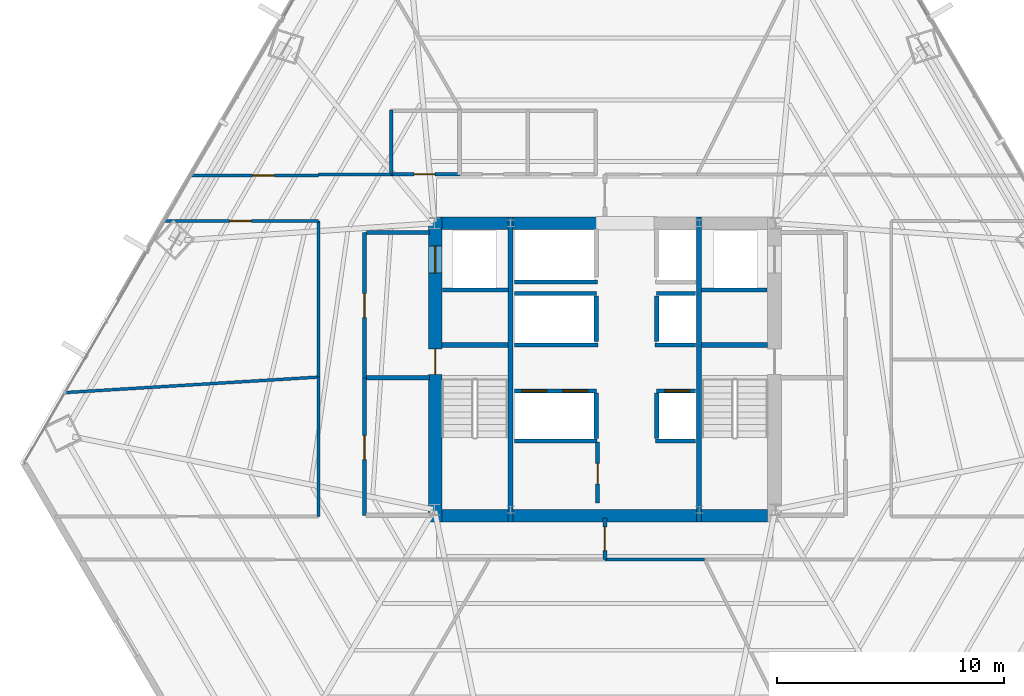
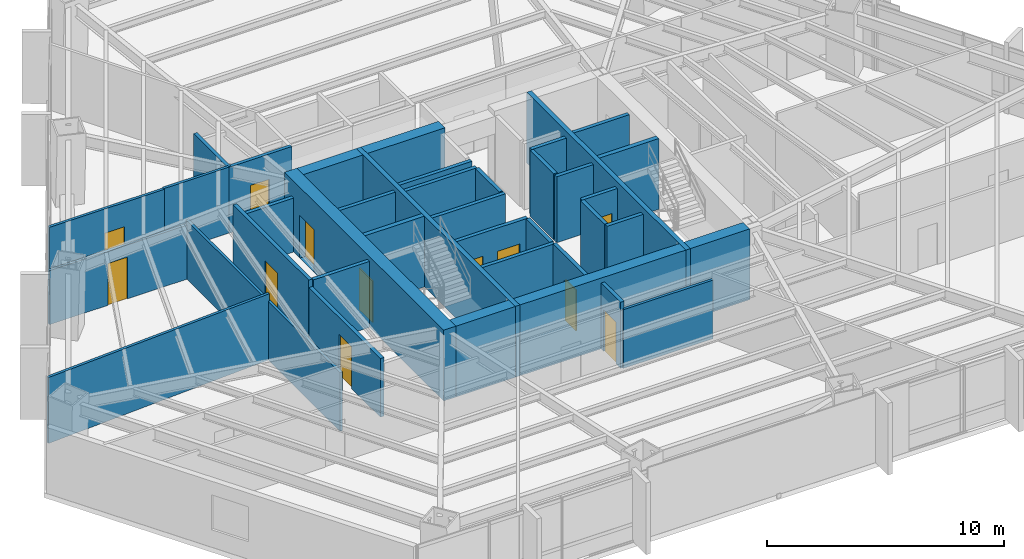
# One storey, part 28 of 33: 40 walls, 12 doors, 12 openings.
"""IFC4 building model written with IfcOpenShell, lengths in metres."""

from ifc_helpers import new_model, si_unit, direction, frame, frame_2d, origin, place, context, subcontext, project, spatial, rectangle, extrude, material, layer, layer_set, type_object, element, fill, save


model = new_model("IFC4")

# Units and contexts
model_context = context("Model", 3, precision=1e-05, world=origin(), true_north=direction((0.0, 1.0)))
body_context = subcontext(model_context, "Body", "Model", "MODEL_VIEW")
ifc_project = project(units=[si_unit("LENGTHUNIT", "METRE"), si_unit("AREAUNIT", "SQUARE_METRE"), si_unit("VOLUMEUNIT", "CUBIC_METRE"), si_unit("PLANEANGLEUNIT", "RADIAN"), si_unit("MASSUNIT", "GRAM", prefix="KILO")], contexts=[model_context])

# Site, building, storey
site_placement = place(None, origin())
site = spatial("IfcSite", under=ifc_project, at=site_placement, CompositionType="ELEMENT")
building_placement = place(site_placement, origin())
building = spatial("IfcBuilding", under=site, at=building_placement, Name="Caelisora Broadcast Tower", CompositionType="ELEMENT")
storey_placement = place(building_placement, frame((0.0, 0.0, 34.89990234375)))
storey = spatial("IfcBuildingStorey", under=building, at=storey_placement, Name="L08", CompositionType="ELEMENT", Elevation=34.89990234375)

# Wall, openings, doors
ifc_material_1 = material(Name="Concrete 65 MPa (AS 3600 S65)", Category="concrete")
ifc_layer_1 = layer(ifc_material_1, 0.60009765625, Name="Concrete 65 MPa (AS 3600 S65)")
ifc_layer_set_1 = layer_set([ifc_layer_1], Name="Concrete 65 MPa (AS 3600 S65)")
wall_type_1 = type_object("IfcWallType", Name="CW1", PredefinedType="SHEAR", material=ifc_layer_set_1)
wall_1_placement = place(storey_placement, frame((30.5400390625, 16.85009765625, 0.0), z_axis=(0.0, 0.0, 1.0), x_axis=(0.0, 1.0, 0.0)))
wall_1 = element("IfcWall", 1, at=wall_1_placement, inside=storey, type_object=wall_type_1, Name="L08 core shear wall CW1", PredefinedType="SHEAR", context=body_context, shape_type="SweptSolid", body=[
    extrude(rectangle(XDim=13.4248046875, YDim=0.60009765625, at=frame_2d((6.71240234375, 0.0))), origin(), (0.0, 0.0, 1.0), 3.650146484375),
])
opening_1_placement = place(wall_1_placement, frame((6.5, 0.0, 0.0)))
opening_1 = element("IfcOpeningElement", 2, at=opening_1_placement, cuts=wall_1, Name="Opening FD04", PredefinedType="OPENING", context=body_context, shape_type="SweptSolid", body=[
    extrude(rectangle(XDim=1.1201171875, YDim=2.14990234375, at=frame_2d((0.56005859375, 1.074951171875))), frame((0.0, 0.31201171875, 0.0), z_axis=(0.0, -1.0, 0.0), x_axis=(1.0, 0.0, 0.0)), (0.0, 0.0, 1.0), 0.6240234375),
])
opening_2_placement = place(wall_1_placement, frame((10.949951171875, 0.0, 0.0)))
opening_2 = element("IfcOpeningElement", 3, at=opening_2_placement, cuts=wall_1, Name="Opening LD04", PredefinedType="OPENING", context=body_context, shape_type="SweptSolid", body=[
    extrude(rectangle(XDim=1.199951171875, YDim=2.199951171875, at=frame_2d((0.60009765625, 1.10009765625))), frame((0.0, 0.31201171875, 0.0), z_axis=(0.0, -1.0, 0.0), x_axis=(1.0, 0.0, 0.0)), (0.0, 0.0, 1.0), 0.6240234375),
])
ifc_material_2 = material(Name="Pressurised Fire-Isolated Stair Door", Category="steel")
door_type_1 = type_object("IfcDoorType", Name="FD04", OperationType="NOTDEFINED", PredefinedType="DOOR", material=ifc_material_2)
door_1_placement = place(opening_1_placement, origin())
door_1 = element("IfcDoor", 4, at=door_1_placement, inside=storey, type_object=door_type_1, Name="L08 door FD04 (L08-DR-ST1)", OperationType="SINGLE_SWING_LEFT", OverallHeight=2.14990234375, OverallWidth=1.1201171875, PredefinedType="DOOR", context=body_context, shape_type="SweptSolid", body=[
    extrude(rectangle(XDim=1.1201171875, YDim=2.14990234375, at=frame_2d((0.56005859375, 1.074951171875))), frame((0.0, 0.02490234375, 0.0), z_axis=(0.0, -1.0, 0.0), x_axis=(1.0, 0.0, 0.0)), (0.0, 0.0, 1.0), 0.050048828125),
])
fill(opening_1, door_1)
ifc_material_3 = material(Name="Emergency Firefighting Lift Sliding Landing Door", Category="steel")
door_type_2 = type_object("IfcDoorType", Name="LD04", OperationType="NOTDEFINED", PredefinedType="DOOR", material=ifc_material_3)
door_2_placement = place(opening_2_placement, origin())
door_2 = element("IfcDoor", 5, at=door_2_placement, inside=storey, type_object=door_type_2, Name="L08 door LD04 (L08-LD-FFL1)", OperationType="SLIDING_TO_LEFT", OverallHeight=2.199951171875, OverallWidth=1.199951171875, PredefinedType="DOOR", context=body_context, shape_type="SweptSolid", body=[
    extrude(rectangle(XDim=1.199951171875, YDim=2.199951171875, at=frame_2d((0.60009765625, 1.10009765625))), frame((0.0, 0.02490234375, 0.0), z_axis=(0.0, -1.0, 0.0), x_axis=(1.0, 0.0, 0.0)), (0.0, 0.0, 1.0), 0.050048828125),
])
fill(opening_2, door_2)

# Walls
ifc_layer_2 = layer(ifc_material_1, 0.550048828125, Name="Concrete 65 MPa (AS 3600 S65)")
ifc_layer_set_2 = layer_set([ifc_layer_2], Name="Concrete 65 MPa (AS 3600 S65)")
wall_type_2 = type_object("IfcWallType", Name="CW4", PredefinedType="SHEAR", material=ifc_layer_set_2)
wall_2_placement = place(storey_placement, frame((30.840087890625, 17.125, 0.0), z_axis=(0.0, 0.0, 1.0), x_axis=(1.0, 0.0, 0.0)))
element("IfcWall", 6, at=wall_2_placement, inside=storey, type_object=wall_type_2, Name="L08 core shear wall CW4", PredefinedType="SHEAR", context=body_context, shape_type="SweptSolid", body=[
    extrude(rectangle(XDim=2.89990234375, YDim=0.550048828125, at=frame_2d((1.449951171875, 0.0))), origin(), (0.0, 0.0, 1.0), 3.650146484375),
])
wall_3_placement = place(storey_placement, frame((33.9599609375, 17.125, 0.0), z_axis=(0.0, 0.0, 1.0), x_axis=(1.0, 0.0, 0.0)))
element("IfcWall", 7, at=wall_3_placement, inside=storey, type_object=wall_type_2, Name="L08 core shear wall CW4", PredefinedType="SHEAR", context=body_context, shape_type="SweptSolid", body=[
    extrude(rectangle(XDim=8.080078125, YDim=0.550048828125, at=frame_2d((4.0400390625, 0.0))), origin(), (0.0, 0.0, 1.0), 3.650146484375),
])
for number, where, z_axis, x_axis, name in (
    (8, (42.260009765625, 17.125, 0.0), (0.0, 0.0, 1.0), (1.0, 0.0, 0.0), "L08 core shear wall CW4"),
    (9, (30.840087890625, 30.0, 0.0), (0.0, 0.0, 1.0), (1.0, 0.0, 0.0), "L08 core shear wall CW4"),
):
    element("IfcWall", number, at=place(storey_placement, frame(where, z_axis=z_axis, x_axis=x_axis)), inside=storey, type_object=wall_type_2, Name=name, PredefinedType="SHEAR", context=body_context, shape_type="SweptSolid", body=[
        extrude(rectangle(XDim=2.89990234375, YDim=0.550048828125, at=frame_2d((1.449951171875, 0.0))), origin(), (0.0, 0.0, 1.0), 3.650146484375),
    ])
wall_4_placement = place(storey_placement, frame((33.9599609375, 30.0, 0.0), z_axis=(0.0, 0.0, 1.0), x_axis=(1.0, 0.0, 0.0)))
element("IfcWall", 10, at=wall_4_placement, inside=storey, type_object=wall_type_2, Name="L08 core shear wall CW4", PredefinedType="SHEAR", context=body_context, shape_type="SweptSolid", body=[
    extrude(rectangle(XDim=3.780029296875, YDim=0.550048828125, at=frame_2d((1.89013671875, 0.0))), origin(), (0.0, 0.0, 1.0), 3.650146484375),
])
ifc_material_4 = material(Name="Concrete 50 MPa (AS 3600 S50)", Category="concrete")
ifc_layer_3 = layer(ifc_material_4, 0.219970703125, Name="Concrete 50 MPa (AS 3600 S50)")
ifc_layer_set_3 = layer_set([ifc_layer_3], Name="Concrete 50 MPa (AS 3600 S50)")
wall_type_3 = type_object("IfcWallType", Name="CW7", PredefinedType="SHEAR", material=ifc_layer_set_3)
for number, where, z_axis, x_axis, name in (
    (11, (33.85009765625, 16.85009765625, 0.0), (0.0, 0.0, 1.0), (0.0, 1.0, 0.0), "L08 core shear wall CW7"),
    (12, (42.14990234375, 16.85009765625, 0.0), (0.0, 0.0, 1.0), (0.0, 1.0, 0.0), "L08 core shear wall CW7"),
):
    element("IfcWall", number, at=place(storey_placement, frame(where, z_axis=z_axis, x_axis=x_axis)), inside=storey, type_object=wall_type_3, Name=name, PredefinedType="SHEAR", context=body_context, shape_type="SweptSolid", body=[
        extrude(rectangle(XDim=13.4248046875, YDim=0.219970703125, at=frame_2d((6.71240234375, 0.0))), origin(), (0.0, 0.0, 1.0), 3.650146484375),
    ])
for number, where, z_axis, x_axis, name in (
    (13, (30.840087890625, 24.639892578125, 0.0), (0.0, 0.0, 1.0), (1.0, 0.0, 0.0), "L08 core shear wall CW7"),
    (14, (42.260009765625, 24.639892578125, 0.0), (0.0, 0.0, 1.0), (1.0, 0.0, 0.0), "L08 core shear wall CW7"),
):
    element("IfcWall", number, at=place(storey_placement, frame(where, z_axis=z_axis, x_axis=x_axis)), inside=storey, type_object=wall_type_3, Name=name, PredefinedType="SHEAR", context=body_context, shape_type="SweptSolid", body=[
        extrude(rectangle(XDim=2.89990234375, YDim=0.219970703125, at=frame_2d((1.449951171875, 0.0))), origin(), (0.0, 0.0, 1.0), 3.650146484375),
    ])

# Wall, openings, doors
ifc_material_5 = material(Name="Fire-Rated Gypsum Shaft and Compartment Wall", Category="gypsum")
ifc_layer_4 = layer(ifc_material_5, 0.179931640625, Name="Fire-Rated Gypsum Shaft and Compartment Wall")
ifc_layer_set_4 = layer_set([ifc_layer_4], Name="Fire-Rated Gypsum Shaft and Compartment Wall")
wall_type_4 = type_object("IfcWallType", Name="PW2", PredefinedType="PARTITIONING", material=ifc_layer_set_4)
wall_5_placement = place(storey_placement, frame((34.02001953125, 22.6201171875, 0.0), z_axis=(0.0, 0.0, 1.0), x_axis=(1.0, 0.0, 0.0)))
wall_5 = element("IfcWall", 15, at=wall_5_placement, inside=storey, type_object=wall_type_4, Name="L08 fire compartment wall PW2", PredefinedType="PARTITIONING", context=body_context, shape_type="SweptSolid", body=[
    extrude(rectangle(XDim=3.60009765625, YDim=0.179931640625, at=frame_2d((1.800048828125, 0.0))), origin(), (0.0, 0.0, 1.0), 3.400146484375),
])
opening_3_placement = place(wall_5_placement, frame((0.320068359375, 0.0, 0.0)))
opening_3 = element("IfcOpeningElement", 16, at=opening_3_placement, cuts=wall_5, Name="Opening LD01", PredefinedType="OPENING", context=body_context, shape_type="SweptSolid", body=[
    extrude(rectangle(XDim=1.10009765625, YDim=2.199951171875, at=frame_2d((0.550048828125, 1.10009765625))), frame((0.0, 0.10205078125, 0.0), z_axis=(0.0, -1.0, 0.0), x_axis=(1.0, 0.0, 0.0)), (0.0, 0.0, 1.0), 0.203857421875),
])
opening_4_placement = place(wall_5_placement, frame((2.1201171875, 0.0, 0.0)))
opening_4 = element("IfcOpeningElement", 17, at=opening_4_placement, cuts=wall_5, Name="Opening LD01", PredefinedType="OPENING", context=body_context, shape_type="SweptSolid", body=[
    extrude(rectangle(XDim=1.10009765625, YDim=2.199951171875, at=frame_2d((0.550048828125, 1.10009765625))), frame((0.0, 0.10205078125, 0.0), z_axis=(0.0, -1.0, 0.0), x_axis=(1.0, 0.0, 0.0)), (0.0, 0.0, 1.0), 0.203857421875),
])
ifc_material_6 = material(Name="Stainless Steel Centre-Parting Lift Landing Door", Category="steel")
door_type_3 = type_object("IfcDoorType", Name="LD01", OperationType="NOTDEFINED", PredefinedType="DOOR", material=ifc_material_6)
door_3_placement = place(opening_3_placement, origin())
door_3 = element("IfcDoor", 18, at=door_3_placement, inside=storey, type_object=door_type_3, Name="L08 door LD01 (L08-LD-PLL1)", OperationType="SLIDING_TO_LEFT", OverallHeight=2.199951171875, OverallWidth=1.10009765625, PredefinedType="DOOR", context=body_context, shape_type="SweptSolid", body=[
    extrude(rectangle(XDim=1.10009765625, YDim=2.199951171875, at=frame_2d((0.550048828125, 1.10009765625))), frame((0.0, 0.02490234375, 0.0), z_axis=(0.0, -1.0, 0.0), x_axis=(1.0, 0.0, 0.0)), (0.0, 0.0, 1.0), 0.050048828125),
])
fill(opening_3, door_3)
door_4_placement = place(opening_4_placement, origin())
door_4 = element("IfcDoor", 19, at=door_4_placement, inside=storey, type_object=door_type_3, Name="L08 door LD01 (L08-LD-PLL2)", OperationType="SLIDING_TO_RIGHT", OverallHeight=2.199951171875, OverallWidth=1.10009765625, PredefinedType="DOOR", context=body_context, shape_type="SweptSolid", body=[
    extrude(rectangle(XDim=1.10009765625, YDim=2.199951171875, at=frame_2d((0.550048828125, 1.10009765625))), frame((0.0, 0.02490234375, 0.0), z_axis=(0.0, -1.0, 0.0), x_axis=(1.0, 0.0, 0.0)), (0.0, 0.0, 1.0), 0.050048828125),
])
fill(opening_4, door_4)

# Wall, opening, door
wall_6_placement = place(storey_placement, frame((40.280029296875, 22.6201171875, 0.0), z_axis=(0.0, 0.0, 1.0), x_axis=(1.0, 0.0, 0.0)))
wall_6 = element("IfcWall", 20, at=wall_6_placement, inside=storey, type_object=wall_type_4, Name="L08 fire compartment wall PW2", PredefinedType="PARTITIONING", context=body_context, shape_type="SweptSolid", body=[
    extrude(rectangle(XDim=1.699951171875, YDim=0.179931640625, at=frame_2d((0.85009765625, 0.0))), origin(), (0.0, 0.0, 1.0), 3.400146484375),
])
opening_5_placement = place(wall_6_placement, frame((0.35009765625, 0.0, 0.0)))
opening_5 = element("IfcOpeningElement", 21, at=opening_5_placement, cuts=wall_6, Name="Opening LD01", PredefinedType="OPENING", context=body_context, shape_type="SweptSolid", body=[
    extrude(rectangle(XDim=1.10009765625, YDim=2.199951171875, at=frame_2d((0.550048828125, 1.10009765625))), frame((0.0, 0.10205078125, 0.0), z_axis=(0.0, -1.0, 0.0), x_axis=(1.0, 0.0, 0.0)), (0.0, 0.0, 1.0), 0.203857421875),
])
door_5_placement = place(opening_5_placement, origin())
door_5 = element("IfcDoor", 22, at=door_5_placement, inside=storey, type_object=door_type_3, Name="L08 door LD01 (L08-LD-PLL3)", OperationType="SLIDING_TO_LEFT", OverallHeight=2.199951171875, OverallWidth=1.10009765625, PredefinedType="DOOR", context=body_context, shape_type="SweptSolid", body=[
    extrude(rectangle(XDim=1.10009765625, YDim=2.199951171875, at=frame_2d((0.550048828125, 1.10009765625))), frame((0.0, 0.02490234375, 0.0), z_axis=(0.0, -1.0, 0.0), x_axis=(1.0, 0.0, 0.0)), (0.0, 0.0, 1.0), 0.050048828125),
])
fill(opening_5, door_5)

# Walls
for number, where, z_axis, x_axis, name in (
    (23, (37.6201171875, 20.52001953125, 0.0), (0.0, 0.0, 1.0), (0.0, 1.0, 0.0), "L08 fire compartment wall PW2"),
    (24, (40.280029296875, 20.52001953125, 0.0), (0.0, 0.0, 1.0), (0.0, 1.0, 0.0), "L08 fire compartment wall PW2"),
):
    element("IfcWall", number, at=place(storey_placement, frame(where, z_axis=z_axis, x_axis=x_axis)), inside=storey, type_object=wall_type_4, Name=name, PredefinedType="PARTITIONING", context=body_context, shape_type="SweptSolid", body=[
        extrude(rectangle(XDim=2.0, YDim=0.179931640625, at=frame_2d((1.0, 0.0))), origin(), (0.0, 0.0, 1.0), 3.400146484375),
    ])
wall_7_placement = place(storey_placement, frame((34.02001953125, 26.89990234375, 0.0), z_axis=(0.0, 0.0, 1.0), x_axis=(1.0, 0.0, 0.0)))
element("IfcWall", 25, at=wall_7_placement, inside=storey, type_object=wall_type_4, Name="L08 fire compartment wall PW2", PredefinedType="PARTITIONING", context=body_context, shape_type="SweptSolid", body=[
    extrude(rectangle(XDim=3.60009765625, YDim=0.179931640625, at=frame_2d((1.800048828125, 0.0))), origin(), (0.0, 0.0, 1.0), 3.400146484375),
])
wall_8_placement = place(storey_placement, frame((40.280029296875, 26.89990234375, 0.0), z_axis=(0.0, 0.0, 1.0), x_axis=(1.0, 0.0, 0.0)))
element("IfcWall", 26, at=wall_8_placement, inside=storey, type_object=wall_type_4, Name="L08 fire compartment wall PW2", PredefinedType="PARTITIONING", context=body_context, shape_type="SweptSolid", body=[
    extrude(rectangle(XDim=1.699951171875, YDim=0.179931640625, at=frame_2d((0.85009765625, 0.0))), origin(), (0.0, 0.0, 1.0), 3.400146484375),
])
for number, where, z_axis, x_axis, name in (
    (27, (37.6201171875, 24.800048828125, 0.0), (0.0, 0.0, 1.0), (0.0, 1.0, 0.0), "L08 fire compartment wall PW2"),
    (28, (40.280029296875, 24.800048828125, 0.0), (0.0, 0.0, 1.0), (0.0, 1.0, 0.0), "L08 fire compartment wall PW2"),
):
    element("IfcWall", number, at=place(storey_placement, frame(where, z_axis=z_axis, x_axis=x_axis)), inside=storey, type_object=wall_type_4, Name=name, PredefinedType="PARTITIONING", context=body_context, shape_type="SweptSolid", body=[
        extrude(rectangle(XDim=2.0, YDim=0.179931640625, at=frame_2d((1.0, 0.0))), origin(), (0.0, 0.0, 1.0), 3.400146484375),
    ])
wall_9_placement = place(storey_placement, frame((34.02001953125, 24.639892578125, 0.0), z_axis=(0.0, 0.0, 1.0), x_axis=(1.0, 0.0, 0.0)))
element("IfcWall", 29, at=wall_9_placement, inside=storey, type_object=wall_type_4, Name="L08 fire compartment wall PW2", PredefinedType="PARTITIONING", context=body_context, shape_type="SweptSolid", body=[
    extrude(rectangle(XDim=3.679931640625, YDim=0.179931640625, at=frame_2d((1.83984375, 0.0))), origin(), (0.0, 0.0, 1.0), 3.400146484375),
])
wall_10_placement = place(storey_placement, frame((40.199951171875, 24.639892578125, 0.0), z_axis=(0.0, 0.0, 1.0), x_axis=(1.0, 0.0, 0.0)))
element("IfcWall", 30, at=wall_10_placement, inside=storey, type_object=wall_type_4, Name="L08 fire compartment wall PW2", PredefinedType="PARTITIONING", context=body_context, shape_type="SweptSolid", body=[
    extrude(rectangle(XDim=1.780029296875, YDim=0.179931640625, at=frame_2d((0.89013671875, 0.0))), origin(), (0.0, 0.0, 1.0), 3.400146484375),
])
wall_11_placement = place(storey_placement, frame((34.02001953125, 27.419921875, 0.0), z_axis=(0.0, 0.0, 1.0), x_axis=(1.0, 0.0, 0.0)))
element("IfcWall", 31, at=wall_11_placement, inside=storey, type_object=wall_type_4, Name="L08 fire compartment wall PW2", PredefinedType="PARTITIONING", context=body_context, shape_type="SweptSolid", body=[
    extrude(rectangle(XDim=3.659912109375, YDim=0.179931640625, at=frame_2d((1.830078125, 0.0))), origin(), (0.0, 0.0, 1.0), 3.400146484375),
])

# Wall, opening, door
wall_12_placement = place(storey_placement, frame((27.419921875, 23.199951171875, 0.0), z_axis=(0.0, 0.0, 1.0), x_axis=(0.0, 1.0, 0.0)))
wall_12 = element("IfcWall", 32, at=wall_12_placement, inside=storey, type_object=wall_type_4, Name="L08 fire compartment wall PW2", PredefinedType="PARTITIONING", context=body_context, shape_type="SweptSolid", body=[
    extrude(rectangle(XDim=6.400146484375, YDim=0.179931640625, at=frame_2d((3.2001953125, 0.0))), origin(), (0.0, 0.0, 1.0), 3.400146484375),
])
opening_6_placement = place(wall_12_placement, frame((2.64990234375, 0.0, 0.0)))
opening_6 = element("IfcOpeningElement", 33, at=opening_6_placement, cuts=wall_12, Name="Opening FD02", PredefinedType="OPENING", context=body_context, shape_type="SweptSolid", body=[
    extrude(rectangle(XDim=1.050048828125, YDim=2.14990234375, at=frame_2d((0.52490234375, 1.074951171875))), frame((0.0, 0.10205078125, 0.0), z_axis=(0.0, -1.0, 0.0), x_axis=(1.0, 0.0, 0.0)), (0.0, 0.0, 1.0), 0.203857421875),
])
ifc_material_7 = material(Name="Single-Leaf Steel Fire Lobby Door", Category="steel")
door_type_4 = type_object("IfcDoorType", Name="FD02", OperationType="NOTDEFINED", PredefinedType="DOOR", material=ifc_material_7)
door_6_placement = place(opening_6_placement, origin())
door_6 = element("IfcDoor", 34, at=door_6_placement, inside=storey, type_object=door_type_4, Name="L08 door FD02 (L08-DR-P01D1)", OperationType="SINGLE_SWING_LEFT", OverallHeight=2.14990234375, OverallWidth=1.050048828125, PredefinedType="DOOR", context=body_context, shape_type="SweptSolid", body=[
    extrude(rectangle(XDim=1.050048828125, YDim=2.14990234375, at=frame_2d((0.52490234375, 1.074951171875))), frame((0.0, 0.02490234375, 0.0), z_axis=(0.0, -1.0, 0.0), x_axis=(1.0, 0.0, 0.0)), (0.0, 0.0, 1.0), 0.050048828125),
])
fill(opening_6, door_6)

# Walls
wall_13_placement = place(storey_placement, frame((27.52001953125, 23.199951171875, 0.0), z_axis=(0.0, 0.0, 1.0), x_axis=(1.0, 0.0, 0.0)))
element("IfcWall", 35, at=wall_13_placement, inside=storey, type_object=wall_type_4, Name="L08 fire compartment wall PW2", PredefinedType="PARTITIONING", context=body_context, shape_type="SweptSolid", body=[
    extrude(rectangle(XDim=2.760009765625, YDim=0.179931640625, at=frame_2d((1.3798828125, 0.0))), origin(), (0.0, 0.0, 1.0), 3.400146484375),
])
wall_14_placement = place(storey_placement, frame((27.52001953125, 29.60009765625, 0.0), z_axis=(0.0, 0.0, 1.0), x_axis=(1.0, 0.0, 0.0)))
element("IfcWall", 36, at=wall_14_placement, inside=storey, type_object=wall_type_4, Name="L08 fire compartment wall PW2", PredefinedType="PARTITIONING", context=body_context, shape_type="SweptSolid", body=[
    extrude(rectangle(XDim=2.760009765625, YDim=0.179931640625, at=frame_2d((1.3798828125, 0.0))), origin(), (0.0, 0.0, 1.0), 2.782958984375),
])
for number, where, z_axis, x_axis, name in (
    (37, (30.860107421875, 27.070068359375, 0.0), (0.0, 0.0, 1.0), (1.0, 0.0, 0.0), "L08 fire compartment wall PW2"),
    (38, (42.239990234375, 27.070068359375, 0.0), (0.0, 0.0, 1.0), (1.0, 0.0, 0.0), "L08 fire compartment wall PW2"),
):
    element("IfcWall", number, at=place(storey_placement, frame(where, z_axis=z_axis, x_axis=x_axis)), inside=storey, type_object=wall_type_4, Name=name, PredefinedType="PARTITIONING", context=body_context, shape_type="SweptSolid", body=[
        extrude(rectangle(XDim=2.89990234375, YDim=0.179931640625, at=frame_2d((1.449951171875, 0.0))), origin(), (0.0, 0.0, 1.0), 3.400146484375),
    ])
wall_15_placement = place(storey_placement, frame((34.02001953125, 20.419921875, 0.0), z_axis=(0.0, 0.0, 1.0), x_axis=(1.0, 0.0, 0.0)))
element("IfcWall", 39, at=wall_15_placement, inside=storey, type_object=wall_type_4, Name="L08 fire compartment wall PW2", PredefinedType="PARTITIONING", context=body_context, shape_type="SweptSolid", body=[
    extrude(rectangle(XDim=3.639892578125, YDim=0.179931640625, at=frame_2d((1.81982421875, 0.0))), origin(), (0.0, 0.0, 1.0), 3.400146484375),
])
wall_16_placement = place(storey_placement, frame((40.219970703125, 20.419921875, 0.0), z_axis=(0.0, 0.0, 1.0), x_axis=(1.0, 0.0, 0.0)))
element("IfcWall", 40, at=wall_16_placement, inside=storey, type_object=wall_type_4, Name="L08 fire compartment wall PW2", PredefinedType="PARTITIONING", context=body_context, shape_type="SweptSolid", body=[
    extrude(rectangle(XDim=1.760009765625, YDim=0.179931640625, at=frame_2d((0.8798828125, 0.0))), origin(), (0.0, 0.0, 1.0), 3.400146484375),
])

# Wall, opening, door
wall_17_placement = place(storey_placement, frame((37.679931640625, 17.679931640625, 0.0), z_axis=(0.0, 0.0, 1.0), x_axis=(0.0, 1.0, 0.0)))
wall_17 = element("IfcWall", 41, at=wall_17_placement, inside=storey, type_object=wall_type_4, Name="L08 fire compartment wall PW2", PredefinedType="PARTITIONING", context=body_context, shape_type="SweptSolid", body=[
    extrude(rectangle(XDim=2.699951171875, YDim=0.179931640625, at=frame_2d((1.35009765625, 0.0))), origin(), (0.0, 0.0, 1.0), 3.400146484375),
])
opening_7_placement = place(wall_17_placement, frame((0.85009765625, 0.0, 0.0)))
opening_7 = element("IfcOpeningElement", 42, at=opening_7_placement, cuts=wall_17, Name="Opening FD03", PredefinedType="OPENING", context=body_context, shape_type="SweptSolid", body=[
    extrude(rectangle(XDim=0.89990234375, YDim=2.10009765625, at=frame_2d((0.449951171875, 1.050048828125))), frame((0.0, 0.10205078125, 0.0), z_axis=(0.0, -1.0, 0.0), x_axis=(1.0, 0.0, 0.0)), (0.0, 0.0, 1.0), 0.203857421875),
])
ifc_material_8 = material(Name="Single-Leaf Steel Riser Fire Access Door", Category="steel")
door_type_5 = type_object("IfcDoorType", Name="FD03", OperationType="NOTDEFINED", PredefinedType="DOOR", material=ifc_material_8)
door_7_placement = place(opening_7_placement, origin())
door_7 = element("IfcDoor", 43, at=door_7_placement, inside=storey, type_object=door_type_5, Name="L08 door FD03 (L08-DR-P11D1)", OperationType="SINGLE_SWING_LEFT", OverallHeight=2.10009765625, OverallWidth=0.89990234375, PredefinedType="DOOR", context=body_context, shape_type="SweptSolid", body=[
    extrude(rectangle(XDim=0.89990234375, YDim=2.10009765625, at=frame_2d((0.449951171875, 1.050048828125))), frame((0.0, 0.02490234375, 0.0), z_axis=(0.0, -1.0, 0.0), x_axis=(1.0, 0.0, 0.0)), (0.0, 0.0, 1.0), 0.050048828125),
])
fill(opening_7, door_7)

wall_18_placement = place(storey_placement, frame((27.419921875, 17.14990234375, 0.0), z_axis=(0.0, 0.0, 1.0), x_axis=(0.0, 1.0, 0.0)))
wall_18 = element("IfcWall", 44, at=wall_18_placement, inside=storey, type_object=wall_type_4, Name="L08 fire compartment wall PW2", PredefinedType="PARTITIONING", context=body_context, shape_type="SweptSolid", body=[
    extrude(rectangle(XDim=6.030029296875, YDim=0.179931640625, at=frame_2d((3.01513671875, 0.0))), origin(), (0.0, 0.0, 1.0), 3.026611328125),
])
opening_8_placement = place(wall_18_placement, frame((2.449951171875, 0.0, 0.0)))
opening_8 = element("IfcOpeningElement", 45, at=opening_8_placement, cuts=wall_18, Name="Opening FD02", PredefinedType="OPENING", context=body_context, shape_type="SweptSolid", body=[
    extrude(rectangle(XDim=1.050048828125, YDim=2.14990234375, at=frame_2d((0.52490234375, 1.074951171875))), frame((0.0, 0.10205078125, 0.0), z_axis=(0.0, -1.0, 0.0), x_axis=(1.0, 0.0, 0.0)), (0.0, 0.0, 1.0), 0.203857421875),
])
door_8_placement = place(opening_8_placement, origin())
door_8 = element("IfcDoor", 46, at=door_8_placement, inside=storey, type_object=door_type_4, Name="L08 door FD02 (L08-DR-P12D1)", OperationType="SINGLE_SWING_RIGHT", OverallHeight=2.14990234375, OverallWidth=1.050048828125, PredefinedType="DOOR", context=body_context, shape_type="SweptSolid", body=[
    extrude(rectangle(XDim=1.050048828125, YDim=2.14990234375, at=frame_2d((0.52490234375, 1.074951171875))), frame((0.0, 0.02490234375, 0.0), z_axis=(0.0, -1.0, 0.0), x_axis=(1.0, 0.0, 0.0)), (0.0, 0.0, 1.0), 0.050048828125),
])
fill(opening_8, door_8)

wall_19_placement = place(storey_placement, frame((38.0, 15.205078125, 0.0), z_axis=(0.0, 0.0, 1.0), x_axis=(0.0, 1.0, 0.0)))
wall_19 = element("IfcWall", 47, at=wall_19_placement, inside=storey, type_object=wall_type_4, Name="L08 fire compartment wall PW2", PredefinedType="PARTITIONING", context=body_context, shape_type="SweptSolid", body=[
    extrude(rectangle(XDim=1.81982421875, YDim=0.179931640625, at=frame_2d((0.909912109375, 0.0))), origin(), (0.0, 0.0, 1.0), 3.400146484375),
])
opening_9_placement = place(wall_19_placement, frame((0.385009765625, 0.0, 0.0)))
opening_9 = element("IfcOpeningElement", 48, at=opening_9_placement, cuts=wall_19, Name="Opening FD02", PredefinedType="OPENING", context=body_context, shape_type="SweptSolid", body=[
    extrude(rectangle(XDim=1.050048828125, YDim=2.14990234375, at=frame_2d((0.52490234375, 1.074951171875))), frame((0.0, 0.10205078125, 0.0), z_axis=(0.0, -1.0, 0.0), x_axis=(1.0, 0.0, 0.0)), (0.0, 0.0, 1.0), 0.203857421875),
])
door_9_placement = place(opening_9_placement, origin())
door_9 = element("IfcDoor", 49, at=door_9_placement, inside=storey, type_object=door_type_4, Name="L08 door FD02 (L08-DR-P49D1)", OperationType="SINGLE_SWING_LEFT", OverallHeight=2.14990234375, OverallWidth=1.050048828125, PredefinedType="DOOR", context=body_context, shape_type="SweptSolid", body=[
    extrude(rectangle(XDim=1.050048828125, YDim=2.14990234375, at=frame_2d((0.52490234375, 1.074951171875))), frame((0.0, 0.02490234375, 0.0), z_axis=(0.0, -1.0, 0.0), x_axis=(1.0, 0.0, 0.0)), (0.0, 0.0, 1.0), 0.050048828125),
])
fill(opening_9, door_9)

# Walls
ifc_material_9 = material(Name="Acoustic Steel-Stud Plasterboard Partition", Category="gypsum")
ifc_layer_5 = layer(ifc_material_9, 0.1298828125, Name="Acoustic Steel-Stud Plasterboard Partition")
ifc_layer_set_5 = layer_set([ifc_layer_5], Name="Acoustic Steel-Stud Plasterboard Partition")
wall_type_5 = type_object("IfcWallType", Name="PW3", PredefinedType="PARTITIONING", material=ifc_layer_set_5)
wall_20_placement = place(storey_placement, frame((14.236083984375, 22.547119140625, 0.0), z_axis=(0.0, 0.0, 1.0), x_axis=(0.998132881606, 0.061079871132, 0.0)))
element("IfcWall", 50, at=wall_20_placement, inside=storey, type_object=wall_type_5, Name="L08 internal partition PW3", PredefinedType="PARTITIONING", context=body_context, shape_type="SweptSolid", body=[
    extrude(rectangle(XDim=11.179931640625, YDim=0.1298828125, at=frame_2d((5.58984375, 0.0))), origin(), (0.0, 0.0, 1.0), 3.400146484375),
])
wall_21_placement = place(storey_placement, frame((25.39990234375, 23.235107421875, 0.0), z_axis=(0.0, 0.0, 1.0), x_axis=(0.0, 1.0, 0.0)))
element("IfcWall", 51, at=wall_21_placement, inside=storey, type_object=wall_type_5, Name="L08 internal partition PW3", PredefinedType="PARTITIONING", context=body_context, shape_type="SweptSolid", body=[
    extrude(rectangle(XDim=6.85986328125, YDim=0.1298828125, at=frame_2d((3.429931640625, 0.0))), origin(), (0.0, 0.0, 1.0), 3.026611328125),
])

# Wall, opening, door
wall_22_placement = place(storey_placement, frame((25.39501953125, 30.10009765625, 0.0), z_axis=(0.0, 0.0, 1.0), x_axis=(-1.0, 0.0, 0.0)))
wall_22 = element("IfcWall", 52, at=wall_22_placement, inside=storey, type_object=wall_type_5, Name="L08 internal partition PW3", PredefinedType="PARTITIONING", context=body_context, shape_type="SweptSolid", body=[
    extrude(rectangle(XDim=6.759765625, YDim=0.1298828125, at=frame_2d((3.3798828125, 0.0))), origin(), (0.0, 0.0, 1.0), 2.782958984375),
])
opening_10_placement = place(wall_22_placement, frame((2.951904296875, 0.0, 0.0)))
opening_10 = element("IfcOpeningElement", 53, at=opening_10_placement, cuts=wall_22, Name="Opening D01", PredefinedType="OPENING", context=body_context, shape_type="SweptSolid", body=[
    extrude(rectangle(XDim=0.9599609375, YDim=2.14990234375, at=frame_2d((0.47998046875, 1.074951171875))), frame((0.0, 0.076904296875, 0.0), z_axis=(0.0, -1.0, 0.0), x_axis=(1.0, 0.0, 0.0)), (0.0, 0.0, 1.0), 0.15380859375),
])
ifc_material_10 = material(Name="Solid-Core Timber Acoustic Office Door", Category="wood")
door_type_6 = type_object("IfcDoorType", Name="D01", OperationType="NOTDEFINED", PredefinedType="DOOR", material=ifc_material_10)
door_10_placement = place(opening_10_placement, origin())
door_10 = element("IfcDoor", 54, at=door_10_placement, inside=storey, type_object=door_type_6, Name="L08 door D01 (L08-DR-P40D1)", OperationType="SINGLE_SWING_LEFT", OverallHeight=2.14990234375, OverallWidth=0.9599609375, PredefinedType="DOOR", context=body_context, shape_type="SweptSolid", body=[
    extrude(rectangle(XDim=0.9599609375, YDim=2.14990234375, at=frame_2d((0.47998046875, 1.074951171875))), frame((0.0, 0.02490234375, 0.0), z_axis=(0.0, -1.0, 0.0), x_axis=(1.0, 0.0, 0.0)), (0.0, 0.0, 1.0), 0.050048828125),
])
fill(opening_10, door_10)

# Wall
wall_23_placement = place(storey_placement, frame((25.39990234375, 17.10498046875, 0.0), z_axis=(0.0, 0.0, 1.0), x_axis=(0.0, 1.0, 0.0)))
element("IfcWall", 55, at=wall_23_placement, inside=storey, type_object=wall_type_5, Name="L08 internal partition PW3", PredefinedType="PARTITIONING", context=body_context, shape_type="SweptSolid", body=[
    extrude(rectangle(XDim=6.1201171875, YDim=0.1298828125, at=frame_2d((3.06005859375, 0.0))), origin(), (0.0, 0.0, 1.0), 3.026611328125),
])

# Wall, opening, door
wall_24_placement = place(storey_placement, frame((19.800048828125, 32.10009765625, 0.0), z_axis=(0.0, 0.0, 1.0), x_axis=(1.0, 0.0, 0.0)))
wall_24 = element("IfcWall", 56, at=wall_24_placement, inside=storey, type_object=wall_type_5, Name="L08 internal partition PW3", PredefinedType="PARTITIONING", context=body_context, shape_type="SweptSolid", body=[
    extrude(rectangle(XDim=5.594970703125, YDim=0.1298828125, at=frame_2d((2.79736328125, 0.0))), origin(), (0.0, 0.0, 1.0), 3.400146484375),
])
opening_11_placement = place(wall_24_placement, frame((2.699951171875, 0.0, 0.0)))
opening_11 = element("IfcOpeningElement", 57, at=opening_11_placement, cuts=wall_24, Name="Opening D01", PredefinedType="OPENING", context=body_context, shape_type="SweptSolid", body=[
    extrude(rectangle(XDim=0.9599609375, YDim=2.14990234375, at=frame_2d((0.47998046875, 1.074951171875))), frame((0.0, 0.076904296875, 0.0), z_axis=(0.0, -1.0, 0.0), x_axis=(1.0, 0.0, 0.0)), (0.0, 0.0, 1.0), 0.15380859375),
])
door_11_placement = place(opening_11_placement, origin())
door_11 = element("IfcDoor", 58, at=door_11_placement, inside=storey, type_object=door_type_6, Name="L08 door D01 (L08-DR-P44D1)", OperationType="SINGLE_SWING_RIGHT", OverallHeight=2.14990234375, OverallWidth=0.9599609375, PredefinedType="DOOR", context=body_context, shape_type="SweptSolid", body=[
    extrude(rectangle(XDim=0.9599609375, YDim=2.14990234375, at=frame_2d((0.47998046875, 1.074951171875))), frame((0.0, 0.02490234375, 0.0), z_axis=(0.0, -1.0, 0.0), x_axis=(1.0, 0.0, 0.0)), (0.0, 0.0, 1.0), 0.050048828125),
])
fill(opening_11, door_11)

# Walls
wall_25_placement = place(storey_placement, frame((38.0048828125, 15.199951171875, 0.0), z_axis=(0.0, 0.0, 1.0), x_axis=(1.0, 0.0, 0.0)))
element("IfcWall", 59, at=wall_25_placement, inside=storey, type_object=wall_type_5, Name="L08 internal partition PW3", PredefinedType="PARTITIONING", context=body_context, shape_type="SweptSolid", body=[
    extrude(rectangle(XDim=4.380126953125, YDim=0.1298828125, at=frame_2d((2.18994140625, 0.0))), origin(), (0.0, 0.0, 1.0), 3.026611328125),
])
wall_26_placement = place(storey_placement, frame((25.405029296875, 32.14990234375, 0.0), z_axis=(0.0, 0.0, 1.0), x_axis=(1.0, 0.0, 0.0)))
element("IfcWall", 60, at=wall_26_placement, inside=storey, type_object=wall_type_5, Name="L08 internal partition PW3", PredefinedType="PARTITIONING", context=body_context, shape_type="SweptSolid", body=[
    extrude(rectangle(XDim=3.18994140625, YDim=0.1298828125, at=frame_2d((1.594970703125, 0.0))), origin(), (0.0, 0.0, 1.0), 3.400146484375),
])

# Wall, opening, door
ifc_material_11 = material(Name="Moisture-Resistant Wet Plumbing Service Wall", Category="gypsum")
ifc_layer_6 = layer(ifc_material_11, 0.159912109375, Name="Moisture-Resistant Wet Plumbing Service Wall")
ifc_layer_set_6 = layer_set([ifc_layer_6], Name="Moisture-Resistant Wet Plumbing Service Wall")
wall_type_6 = type_object("IfcWallType", Name="PW4", PredefinedType="PLUMBINGWALL", material=ifc_layer_set_6)
wall_27_placement = place(storey_placement, frame((28.574951171875, 32.14990234375, 0.0), z_axis=(0.0, 0.0, 1.0), x_axis=(1.0, 0.0, 0.0)))
wall_27 = element("IfcWall", 61, at=wall_27_placement, inside=storey, type_object=wall_type_6, Name="L08 wet plumbing wall PW4", PredefinedType="PLUMBINGWALL", context=body_context, shape_type="SweptSolid", body=[
    extrude(rectangle(XDim=3.050048828125, YDim=0.159912109375, at=frame_2d((1.52490234375, 0.0))), origin(), (0.0, 0.0, 1.0), 3.400146484375),
])
opening_12_placement = place(wall_27_placement, frame((1.034912109375, 0.0, 0.0)))
opening_12 = element("IfcOpeningElement", 62, at=opening_12_placement, cuts=wall_27, Name="Opening D03", PredefinedType="OPENING", context=body_context, shape_type="SweptSolid", body=[
    extrude(rectangle(XDim=0.919921875, YDim=2.10009765625, at=frame_2d((0.4599609375, 1.050048828125))), frame((0.0, 0.092041015625, 0.0), z_axis=(0.0, -1.0, 0.0), x_axis=(1.0, 0.0, 0.0)), (0.0, 0.0, 1.0), 0.183837890625),
])
ifc_material_12 = material(Name="Laminate Moisture-Resistant Amenity WC Door", Category="wood")
door_type_7 = type_object("IfcDoorType", Name="D03", OperationType="NOTDEFINED", PredefinedType="DOOR", material=ifc_material_12)
door_12_placement = place(opening_12_placement, origin())
door_12 = element("IfcDoor", 63, at=door_12_placement, inside=storey, type_object=door_type_7, Name="L08 door D03 (L08-DR-P16D1)", OperationType="SINGLE_SWING_RIGHT", OverallHeight=2.10009765625, OverallWidth=0.919921875, PredefinedType="DOOR", context=body_context, shape_type="SweptSolid", body=[
    extrude(rectangle(XDim=0.919921875, YDim=2.10009765625, at=frame_2d((0.4599609375, 1.050048828125))), frame((0.0, 0.02490234375, 0.0), z_axis=(0.0, -1.0, 0.0), x_axis=(1.0, 0.0, 0.0)), (0.0, 0.0, 1.0), 0.050048828125),
])
fill(opening_12, door_12)

# Wall
wall_28_placement = place(storey_placement, frame((28.60009765625, 32.125, 0.0), z_axis=(0.0, 0.0, 1.0), x_axis=(0.0, 1.0, 0.0)))
element("IfcWall", 64, at=wall_28_placement, inside=storey, type_object=wall_type_6, Name="L08 wet plumbing wall PW4", PredefinedType="PLUMBINGWALL", context=body_context, shape_type="SweptSolid", body=[
    extrude(rectangle(XDim=2.85009765625, YDim=0.159912109375, at=frame_2d((1.425048828125, 0.0))), origin(), (0.0, 0.0, 1.0), 3.400146484375),
])

save(model, "model.ifc")
